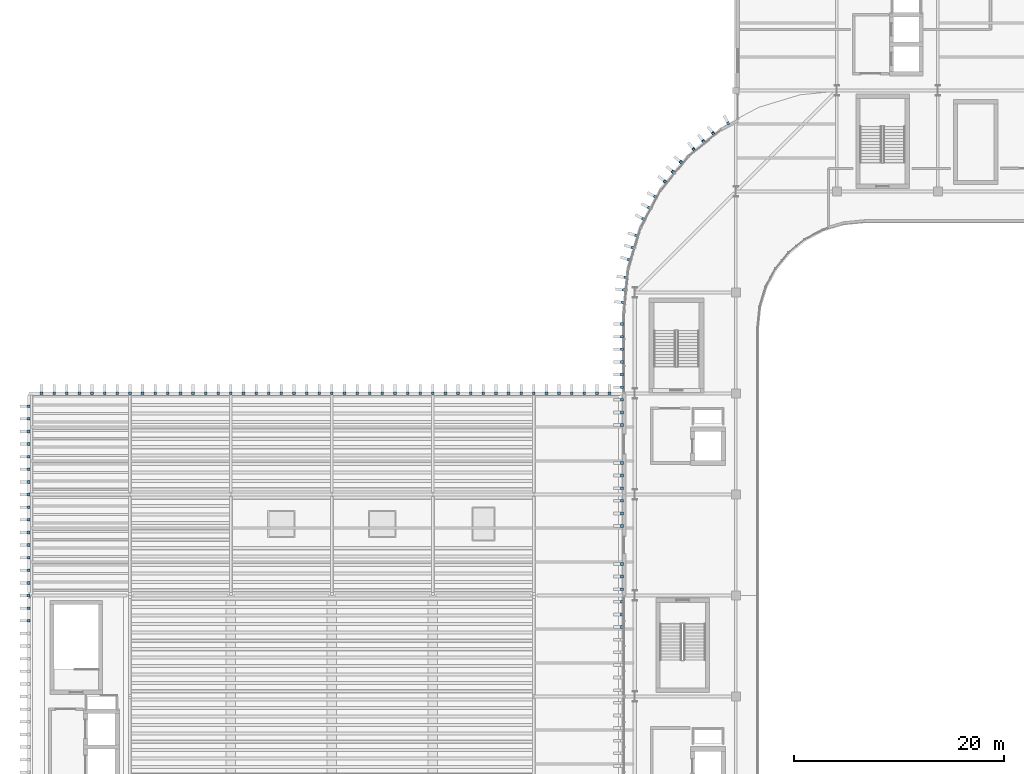
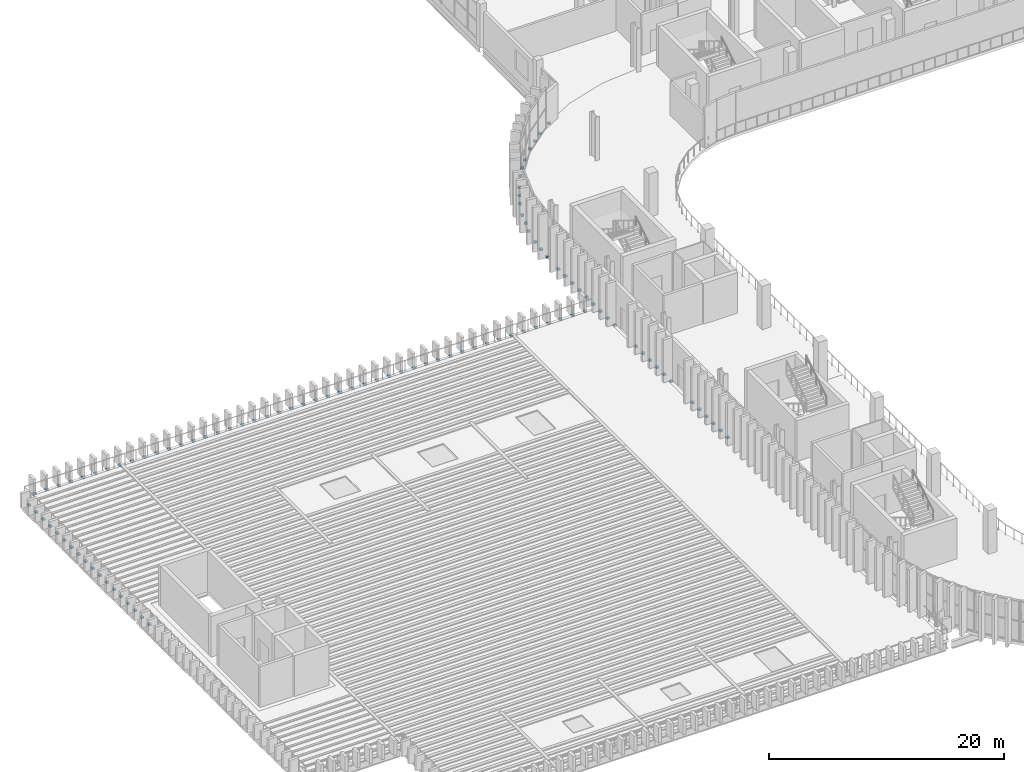
# One storey, part 69 of 92: 101 discrete accessories.
"""IFC4 building model written with IfcOpenShell, lengths in metres."""

from ifc_helpers import new_model, si_unit, direction, frame, origin, origin_2d, place, context, subcontext, project, spatial, rectangle, extrude, material, type_object, element, save


model = new_model("IFC4")

# Units and contexts
model_context = context("Model", 3, precision=1e-05, world=origin(), true_north=direction((0.0, 1.0)))
body_context = subcontext(model_context, "Body", "Model", "MODEL_VIEW")
ifc_project = project(units=[si_unit("LENGTHUNIT", "METRE"), si_unit("AREAUNIT", "SQUARE_METRE"), si_unit("VOLUMEUNIT", "CUBIC_METRE"), si_unit("PLANEANGLEUNIT", "RADIAN"), si_unit("MASSUNIT", "GRAM", prefix="KILO")], contexts=[model_context])

# Site, building, storey
site_placement = place(None, origin())
site = spatial("IfcSite", under=ifc_project, at=site_placement, CompositionType="ELEMENT")
building_placement = place(site_placement, origin())
building = spatial("IfcBuilding", under=site, at=building_placement, Name="Caelomonte Colonnade Arena", CompositionType="ELEMENT")
storey_placement = place(building_placement, frame((0.0, 0.0, 9.60009765625)))
storey = spatial("IfcBuildingStorey", under=building, at=storey_placement, Name="L02", CompositionType="ELEMENT", Elevation=9.60009765625)

# Discrete accessories
ifc_material = material(Name="Steel ASTM A572 Grade 50", Category="steel")
discrete_accessory_type = type_object("IfcDiscreteAccessoryType", Name="ENV-ACC-BRK", PredefinedType="BRACKET", material=ifc_material)
for number, where, z_axis, x_axis, name in (
    (1, (66.475830078125, 112.092041015625, -0.2099609375), (0.0, 0.0, 1.0), (-0.881921264348, -0.471396736826, 0.0), "V1 L02 fin support bracket 155"),
    (2, (65.050537109375, 111.139404296875, -0.2099609375), (0.0, 0.0, 1.0), (-0.77299384472, -0.634413521313, 0.0), "V1 L02 fin support bracket 156"),
    (3, (64.122802734375, 110.378173828125, -0.2099609375), (0.0, 0.0, 1.0), (-0.77299384472, -0.634413521313, 0.0), "V1 L02 fin support bracket 157"),
    (4, (63.1953125, 109.616943359375, -0.2099609375), (0.0, 0.0, 1.0), (-0.77299384472, -0.634413521313, 0.0), "V1 L02 fin support bracket 158"),
    (5, (61.983154296875, 108.40478515625, -0.2099609375), (0.0, 0.0, 1.0), (-0.634413521313, -0.77299384472, 0.0), "V1 L02 fin support bracket 159"),
    (6, (61.2216796875, 107.47705078125, -0.2099609375), (0.0, 0.0, 1.0), (-0.634413521313, -0.77299384472, 0.0), "V1 L02 fin support bracket 160"),
    (7, (60.46044921875, 106.549560546875, -0.2099609375), (0.0, 0.0, 1.0), (-0.634413521313, -0.77299384472, 0.0), "V1 L02 fin support bracket 161"),
    (8, (59.508056640625, 105.1240234375, -0.2099609375), (0.0, 0.0, 1.0), (-0.471396736826, -0.881921264348, 0.0), "V1 L02 fin support bracket 162"),
    (9, (58.9423828125, 104.06591796875, -0.2099609375), (0.0, 0.0, 1.0), (-0.471396736826, -0.881921264348, 0.0), "V1 L02 fin support bracket 163"),
    (10, (58.376708984375, 103.007568359375, -0.2099609375), (0.0, 0.0, 1.0), (-0.471396736826, -0.881921264348, 0.0), "V1 L02 fin support bracket 164"),
    (11, (57.720703125, 101.423583984375, -0.2099609375), (0.0, 0.0, 1.0), (-0.290276326364, -0.956942868907, 0.0), "V1 L02 fin support bracket 165"),
    (12, (57.372314453125, 100.275390625, -0.2099609375), (0.0, 0.0, 1.0), (-0.290276326364, -0.956942868907, 0.0), "V1 L02 fin support bracket 166"),
    (13, (57.02392578125, 99.126953125, -0.2099609375), (0.0, 0.0, 1.0), (-0.290276326364, -0.956942868907, 0.0), "V1 L02 fin support bracket 167"),
    (14, (56.689453125, 97.445556640625, -0.2099609375), (0.0, 0.0, 1.0), (-0.098015403404, -0.995184897743, 0.0), "V1 L02 fin support bracket 168"),
    (15, (56.572021484375, 96.25146484375, -0.2099609375), (0.0, 0.0, 1.0), (-0.098015403404, -0.995184897743, 0.0), "V1 L02 fin support bracket 169"),
    (16, (56.454345703125, 95.05712890625, -0.2099609375), (0.0, 0.0, 1.0), (-0.098015403404, -0.995184897743, 0.0), "V1 L02 fin support bracket 170"),
    (17, (56.3701171875, 93.0, -0.2099609375), (0.0, 0.0, 1.0), (0.0, -1.0, 0.0), "V1 L02 fin support bracket 171"),
    (18, (56.3701171875, 91.800048828125, -0.2099609375), (0.0, 0.0, 1.0), (0.0, -1.0, 0.0), "V1 L02 fin support bracket 172"),
    (19, (56.3701171875, 90.60009765625, -0.2099609375), (0.0, 0.0, 1.0), (0.0, -1.0, 0.0), "V1 L02 fin support bracket 173"),
    (20, (56.3701171875, 89.39990234375, -0.2099609375), (0.0, 0.0, 1.0), (0.0, -1.0, 0.0), "V1 L02 fin support bracket 174"),
    (21, (56.3701171875, 88.199951171875, -0.2099609375), (0.0, 0.0, 1.0), (0.0, -1.0, 0.0), "V1 L02 fin support bracket 175"),
    (22, (56.3701171875, 87.0, -0.2099609375), (0.0, 0.0, 1.0), (0.0, -1.0, 0.0), "V1 L02 fin support bracket 176"),
    (23, (56.3701171875, 85.800048828125, -0.2099609375), (0.0, 0.0, 1.0), (0.0, -1.0, 0.0), "V1 L02 fin support bracket 177"),
    (24, (56.3701171875, 84.60009765625, -0.2099609375), (0.0, 0.0, 1.0), (0.0, -1.0, 0.0), "V1 L02 fin support bracket 178"),
    (25, (56.3701171875, 83.39990234375, -0.2099609375), (0.0, 0.0, 1.0), (0.0, -1.0, 0.0), "V1 L02 fin support bracket 179"),
    (26, (56.3701171875, 79.800048828125, -0.2099609375), (0.0, 0.0, 1.0), (0.0, -1.0, 0.0), "V1 L02 fin support bracket 182"),
    (27, (56.3701171875, 78.60009765625, -0.2099609375), (0.0, 0.0, 1.0), (0.0, -1.0, 0.0), "V1 L02 fin support bracket 183"),
    (28, (56.3701171875, 77.39990234375, -0.2099609375), (0.0, 0.0, 1.0), (0.0, -1.0, 0.0), "V1 L02 fin support bracket 184"),
    (29, (56.3701171875, 76.199951171875, -0.2099609375), (0.0, 0.0, 1.0), (0.0, -1.0, 0.0), "V1 L02 fin support bracket 185"),
    (30, (56.3701171875, 75.0, -0.2099609375), (0.0, 0.0, 1.0), (0.0, -1.0, 0.0), "V1 L02 fin support bracket 186"),
    (31, (56.3701171875, 73.800048828125, -0.2099609375), (0.0, 0.0, 1.0), (0.0, -1.0, 0.0), "V1 L02 fin support bracket 187"),
    (32, (56.3701171875, 70.199951171875, -0.2099609375), (0.0, 0.0, 1.0), (0.0, -1.0, 0.0), "V1 L02 fin support bracket 190"),
    (33, (56.3701171875, 69.0, -0.2099609375), (0.0, 0.0, 1.0), (0.0, -1.0, 0.0), "V1 L02 fin support bracket 191"),
    (34, (56.3701171875, 67.800048828125, -0.2099609375), (0.0, 0.0, 1.0), (0.0, -1.0, 0.0), "V1 L02 fin support bracket 192"),
    (35, (56.3701171875, 66.60009765625, -0.2099609375), (0.0, 0.0, 1.0), (0.0, -1.0, 0.0), "V1 L02 fin support bracket 193"),
    (36, (56.3701171875, 65.39990234375, -0.2099609375), (0.0, 0.0, 1.0), (0.0, -1.0, 0.0), "V1 L02 fin support bracket 194"),
    (37, (56.3701171875, 64.199951171875, -0.2099609375), (0.0, 0.0, 1.0), (0.0, -1.0, 0.0), "V1 L02 fin support bracket 195"),
    (38, (-0.030029296875, 85.199951171875, -0.2099609375), (0.0, 0.0, 1.0), (0.0, -1.0, 0.0), "V5 L02 fin support bracket 1"),
    (39, (-0.030029296875, 84.0, -0.2099609375), (0.0, 0.0, 1.0), (0.0, -1.0, 0.0), "V5 L02 fin support bracket 2"),
    (40, (-0.030029296875, 82.800048828125, -0.2099609375), (0.0, 0.0, 1.0), (0.0, -1.0, 0.0), "V5 L02 fin support bracket 3"),
    (41, (-0.030029296875, 81.60009765625, -0.2099609375), (0.0, 0.0, 1.0), (0.0, -1.0, 0.0), "V5 L02 fin support bracket 4"),
    (42, (-0.030029296875, 80.39990234375, -0.2099609375), (0.0, 0.0, 1.0), (0.0, -1.0, 0.0), "V5 L02 fin support bracket 5"),
    (43, (-0.030029296875, 79.199951171875, -0.2099609375), (0.0, 0.0, 1.0), (0.0, -1.0, 0.0), "V5 L02 fin support bracket 6"),
    (44, (-0.030029296875, 78.0, -0.2099609375), (0.0, 0.0, 1.0), (0.0, -1.0, 0.0), "V5 L02 fin support bracket 7"),
    (45, (-0.030029296875, 76.800048828125, -0.2099609375), (0.0, 0.0, 1.0), (0.0, -1.0, 0.0), "V5 L02 fin support bracket 8"),
    (46, (-0.030029296875, 75.60009765625, -0.2099609375), (0.0, 0.0, 1.0), (0.0, -1.0, 0.0), "V5 L02 fin support bracket 9"),
    (47, (-0.030029296875, 74.39990234375, -0.2099609375), (0.0, 0.0, 1.0), (0.0, -1.0, 0.0), "V5 L02 fin support bracket 10"),
    (48, (-0.030029296875, 73.199951171875, -0.2099609375), (0.0, 0.0, 1.0), (0.0, -1.0, 0.0), "V5 L02 fin support bracket 11"),
    (49, (-0.030029296875, 72.0, -0.2099609375), (0.0, 0.0, 1.0), (0.0, -1.0, 0.0), "V5 L02 fin support bracket 12"),
    (50, (-0.030029296875, 70.800048828125, -0.2099609375), (0.0, 0.0, 1.0), (0.0, -1.0, 0.0), "V5 L02 fin support bracket 13"),
    (51, (-0.030029296875, 69.60009765625, -0.2099609375), (0.0, 0.0, 1.0), (0.0, -1.0, 0.0), "V5 L02 fin support bracket 14"),
    (52, (-0.030029296875, 68.39990234375, -0.2099609375), (0.0, 0.0, 1.0), (0.0, -1.0, 0.0), "V5 L02 fin support bracket 15"),
    (53, (-0.030029296875, 67.199951171875, -0.2099609375), (0.0, 0.0, 1.0), (0.0, -1.0, 0.0), "V5 L02 fin support bracket 16"),
    (54, (-0.030029296875, 66.0, -0.2099609375), (0.0, 0.0, 1.0), (0.0, -1.0, 0.0), "V5 L02 fin support bracket 17"),
    (55, (-0.030029296875, 64.800048828125, -0.2099609375), (0.0, 0.0, 1.0), (0.0, -1.0, 0.0), "V5 L02 fin support bracket 18"),
    (56, (55.199951171875, 86.429931640625, -0.2099609375), (0.0, 0.0, 1.0), (-1.0, 0.0, 0.0), "V5 L02 fin support bracket 96"),
    (57, (54.0, 86.429931640625, -0.2099609375), (0.0, 0.0, 1.0), (-1.0, 0.0, 0.0), "V5 L02 fin support bracket 97"),
    (58, (52.800048828125, 86.429931640625, -0.2099609375), (0.0, 0.0, 1.0), (-1.0, 0.0, 0.0), "V5 L02 fin support bracket 98"),
    (59, (51.60009765625, 86.429931640625, -0.2099609375), (0.0, 0.0, 1.0), (-1.0, 0.0, 0.0), "V5 L02 fin support bracket 99"),
    (60, (50.39990234375, 86.429931640625, -0.2099609375), (0.0, 0.0, 1.0), (-1.0, 0.0, 0.0), "V5 L02 fin support bracket 100"),
    (61, (49.199951171875, 86.429931640625, -0.2099609375), (0.0, 0.0, 1.0), (-1.0, 0.0, 0.0), "V5 L02 fin support bracket 101"),
    (62, (48.0, 86.429931640625, -0.2099609375), (0.0, 0.0, 1.0), (-1.0, 0.0, 0.0), "V5 L02 fin support bracket 102"),
    (63, (46.800048828125, 86.429931640625, -0.2099609375), (0.0, 0.0, 1.0), (-1.0, 0.0, 0.0), "V5 L02 fin support bracket 103"),
    (64, (45.60009765625, 86.429931640625, -0.2099609375), (0.0, 0.0, 1.0), (-1.0, 0.0, 0.0), "V5 L02 fin support bracket 104"),
    (65, (44.39990234375, 86.429931640625, -0.2099609375), (0.0, 0.0, 1.0), (-1.0, 0.0, 0.0), "V5 L02 fin support bracket 105"),
    (66, (43.199951171875, 86.429931640625, -0.2099609375), (0.0, 0.0, 1.0), (-1.0, 0.0, 0.0), "V5 L02 fin support bracket 106"),
    (67, (42.0, 86.429931640625, -0.2099609375), (0.0, 0.0, 1.0), (-1.0, 0.0, 0.0), "V5 L02 fin support bracket 107"),
    (68, (40.800048828125, 86.429931640625, -0.2099609375), (0.0, 0.0, 1.0), (-1.0, 0.0, 0.0), "V5 L02 fin support bracket 108"),
    (69, (39.60009765625, 86.429931640625, -0.2099609375), (0.0, 0.0, 1.0), (-1.0, 0.0, 0.0), "V5 L02 fin support bracket 109"),
    (70, (38.39990234375, 86.429931640625, -0.2099609375), (0.0, 0.0, 1.0), (-1.0, 0.0, 0.0), "V5 L02 fin support bracket 110"),
    (71, (37.199951171875, 86.429931640625, -0.2099609375), (0.0, 0.0, 1.0), (-1.0, 0.0, 0.0), "V5 L02 fin support bracket 111"),
    (72, (36.0, 86.429931640625, -0.2099609375), (0.0, 0.0, 1.0), (-1.0, 0.0, 0.0), "V5 L02 fin support bracket 112"),
    (73, (34.800048828125, 86.429931640625, -0.2099609375), (0.0, 0.0, 1.0), (-1.0, 0.0, 0.0), "V5 L02 fin support bracket 113"),
    (74, (33.60009765625, 86.429931640625, -0.2099609375), (0.0, 0.0, 1.0), (-1.0, 0.0, 0.0), "V5 L02 fin support bracket 114"),
    (75, (32.39990234375, 86.429931640625, -0.2099609375), (0.0, 0.0, 1.0), (-1.0, 0.0, 0.0), "V5 L02 fin support bracket 115"),
    (76, (31.199951171875, 86.429931640625, -0.2099609375), (0.0, 0.0, 1.0), (-1.0, 0.0, 0.0), "V5 L02 fin support bracket 116"),
    (77, (30.0, 86.429931640625, -0.2099609375), (0.0, 0.0, 1.0), (-1.0, 0.0, 0.0), "V5 L02 fin support bracket 117"),
    (78, (28.800048828125, 86.429931640625, -0.2099609375), (0.0, 0.0, 1.0), (-1.0, 0.0, 0.0), "V5 L02 fin support bracket 118"),
    (79, (27.60009765625, 86.429931640625, -0.2099609375), (0.0, 0.0, 1.0), (-1.0, 0.0, 0.0), "V5 L02 fin support bracket 119"),
    (80, (26.39990234375, 86.429931640625, -0.2099609375), (0.0, 0.0, 1.0), (-1.0, 0.0, 0.0), "V5 L02 fin support bracket 120"),
    (81, (25.199951171875, 86.429931640625, -0.2099609375), (0.0, 0.0, 1.0), (-1.0, 0.0, 0.0), "V5 L02 fin support bracket 121"),
    (82, (24.0, 86.429931640625, -0.2099609375), (0.0, 0.0, 1.0), (-1.0, 0.0, 0.0), "V5 L02 fin support bracket 122"),
    (83, (22.800048828125, 86.429931640625, -0.2099609375), (0.0, 0.0, 1.0), (-1.0, 0.0, 0.0), "V5 L02 fin support bracket 123"),
    (84, (21.60009765625, 86.429931640625, -0.2099609375), (0.0, 0.0, 1.0), (-1.0, 0.0, 0.0), "V5 L02 fin support bracket 124"),
    (85, (20.39990234375, 86.429931640625, -0.2099609375), (0.0, 0.0, 1.0), (-1.0, 0.0, 0.0), "V5 L02 fin support bracket 125"),
    (86, (19.199951171875, 86.429931640625, -0.2099609375), (0.0, 0.0, 1.0), (-1.0, 0.0, 0.0), "V5 L02 fin support bracket 126"),
    (87, (18.0, 86.429931640625, -0.2099609375), (0.0, 0.0, 1.0), (-1.0, 0.0, 0.0), "V5 L02 fin support bracket 127"),
    (88, (16.800048828125, 86.429931640625, -0.2099609375), (0.0, 0.0, 1.0), (-1.0, 0.0, 0.0), "V5 L02 fin support bracket 128"),
    (89, (15.60009765625, 86.429931640625, -0.2099609375), (0.0, 0.0, 1.0), (-1.0, 0.0, 0.0), "V5 L02 fin support bracket 129"),
    (90, (14.39990234375, 86.429931640625, -0.2099609375), (0.0, 0.0, 1.0), (-1.0, 0.0, 0.0), "V5 L02 fin support bracket 130"),
    (91, (13.199951171875, 86.429931640625, -0.2099609375), (0.0, 0.0, 1.0), (-1.0, 0.0, 0.0), "V5 L02 fin support bracket 131"),
    (92, (12.0, 86.429931640625, -0.2099609375), (0.0, 0.0, 1.0), (-1.0, 0.0, 0.0), "V5 L02 fin support bracket 132"),
    (93, (10.800048828125, 86.429931640625, -0.2099609375), (0.0, 0.0, 1.0), (-1.0, 0.0, 0.0), "V5 L02 fin support bracket 133"),
    (94, (9.60009765625, 86.429931640625, -0.2099609375), (0.0, 0.0, 1.0), (-1.0, 0.0, 0.0), "V5 L02 fin support bracket 134"),
    (95, (8.39990234375, 86.429931640625, -0.2099609375), (0.0, 0.0, 1.0), (-1.0, 0.0, 0.0), "V5 L02 fin support bracket 135"),
    (96, (7.199951171875, 86.429931640625, -0.2099609375), (0.0, 0.0, 1.0), (-1.0, 0.0, 0.0), "V5 L02 fin support bracket 136"),
    (97, (6.0, 86.429931640625, -0.2099609375), (0.0, 0.0, 1.0), (-1.0, 0.0, 0.0), "V5 L02 fin support bracket 137"),
    (98, (4.800048828125, 86.429931640625, -0.2099609375), (0.0, 0.0, 1.0), (-1.0, 0.0, 0.0), "V5 L02 fin support bracket 138"),
    (99, (3.60009765625, 86.429931640625, -0.2099609375), (0.0, 0.0, 1.0), (-1.0, 0.0, 0.0), "V5 L02 fin support bracket 139"),
    (100, (2.39990234375, 86.429931640625, -0.2099609375), (0.0, 0.0, 1.0), (-1.0, 0.0, 0.0), "V5 L02 fin support bracket 140"),
    (101, (1.199951171875, 86.429931640625, -0.2099609375), (0.0, 0.0, 1.0), (-1.0, 0.0, 0.0), "V5 L02 fin support bracket 141"),
):
    element("IfcDiscreteAccessory", number, at=place(storey_placement, frame(where, z_axis=z_axis, x_axis=x_axis)), inside=storey, type_object=discrete_accessory_type, Name=name, PredefinedType="BRACKET", context=body_context, shape_type="SweptSolid", body=[
        extrude(rectangle(XDim=0.260009765625, YDim=0.260009765625, at=origin_2d()), origin(), (0.0, 0.0, 1.0), 0.179931640625),
    ])

save(model, "model.ifc")
